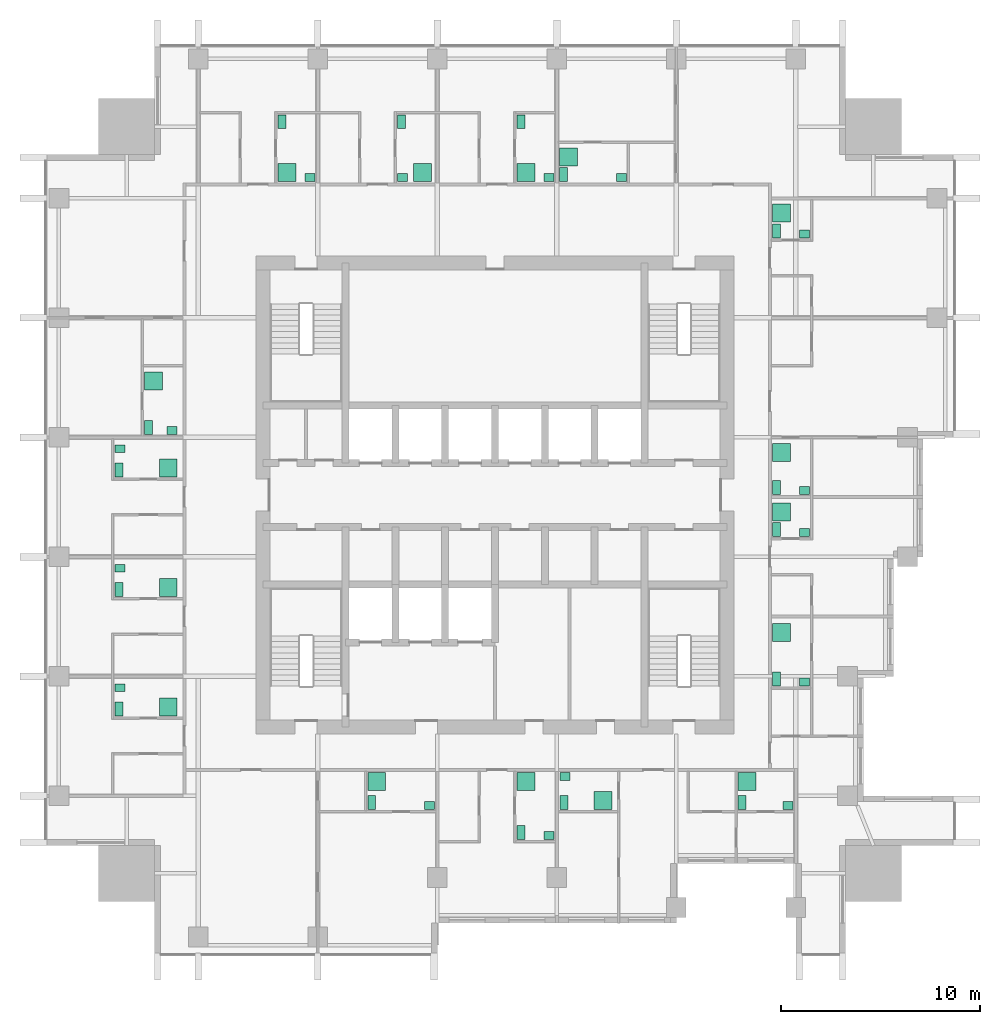
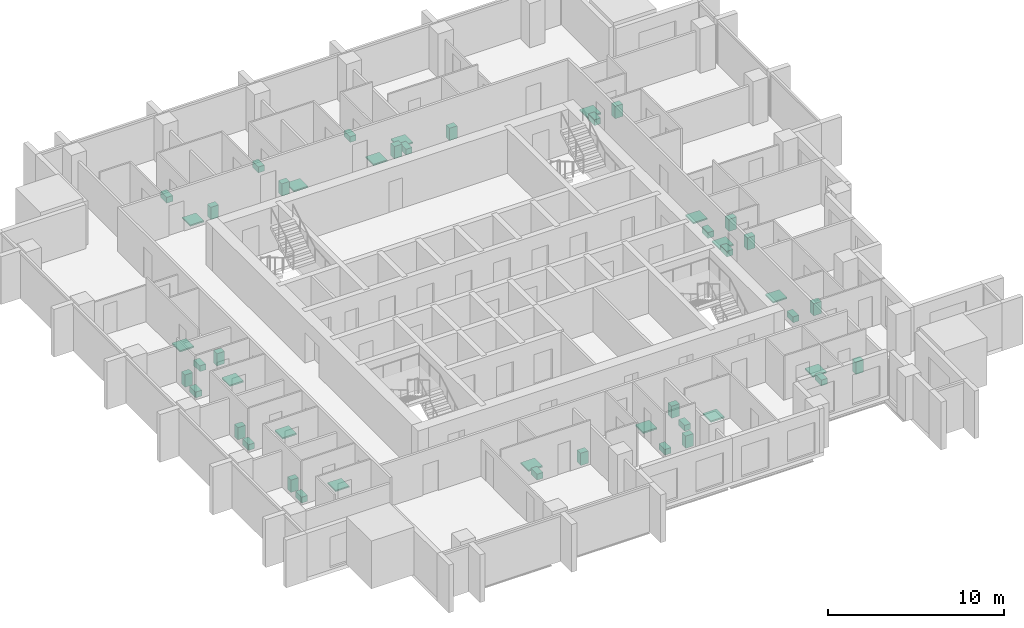
# One storey, part 10 of 10: 48 sanitary terminals.
"""IFC4 building model written with IfcOpenShell, lengths in metres."""

import ifcopenshell
import ifcopenshell.guid

model = None  # the IFC model being written
_history = None  # IfcOwnerHistory: only IFC2X3 demands one
_inside = {}  # id of a spatial element -> (the spatial element, [elements in it])
_under = {}  # id of a project, library or spatial element -> (it, [spatial elements below it])
_declared = {}  # id of a project -> (the project, [libraries it declares])
_typed = {}  # id of a type object -> (the type object, [elements of that type])
_made_of = {}  # id of a material, layer set ... -> (it, [elements and type objects made of it])


def new_model(schema):
    """Start an empty IFC model of exactly this schema.

    Asked for "IFC4X3", IfcOpenShell would pick the latest addendum, in which some entities
    have other attributes; the version numbers below select the first issue.
    IFC2X3 requires an IfcOwnerHistory on every rooted entity: one is made here for all.
    """
    global model, _history
    if schema == "IFC4X3":
        model = ifcopenshell.file(schema_version=(4, 3, 0, 0))
    else:
        model = ifcopenshell.file(schema=schema)
    _inside.clear()
    _under.clear()
    _declared.clear()
    _typed.clear()
    _made_of.clear()
    _history = None
    if model.schema == "IFC2X3":
        org = make("IfcOrganization", Name="unknown")
        user = make(
            "IfcPersonAndOrganization",
            ThePerson=make("IfcPerson", FamilyName="unknown"),
            TheOrganization=org,
        )
        app = make(
            "IfcApplication",
            ApplicationDeveloper=org,
            Version="unknown",
            ApplicationFullName="unknown",
            ApplicationIdentifier="unknown",
        )
        _history = make(
            "IfcOwnerHistory",
            OwningUser=user,
            OwningApplication=app,
            ChangeAction="ADDED",
            CreationDate=0,
        )
    return model


def make(cls, **values):
    """One entity of the class cls with the attributes given. An attribute that is None is left unset."""
    return model.create_entity(
        cls, **{name: value for name, value in values.items() if value is not None}
    )


def rooted(cls, **values):
    """An entity with a GlobalId (a new one), such as an element, a storey or a relation."""
    return make(cls, GlobalId=ifcopenshell.guid.new(), OwnerHistory=_history, **values)


def si_unit(unit_type, name, prefix=None):
    """IfcSIUnit, for example si_unit("LENGTHUNIT", "METRE", prefix="MILLI")."""
    return make("IfcSIUnit", UnitType=unit_type, Prefix=prefix, Name=name)


def assignment(units):
    """IfcUnitAssignment: the units of a project."""
    return None if units is None else make("IfcUnitAssignment", Units=units)


def point(xyz):
    """IfcCartesianPoint."""
    return None if xyz is None else make("IfcCartesianPoint", Coordinates=xyz)


def direction(xyz):
    """IfcDirection."""
    return None if xyz is None else make("IfcDirection", DirectionRatios=xyz)


def frame(location, z_axis=None, x_axis=None):
    """IfcAxis2Placement3D, a coordinate frame: its origin and axes. An axis left out is left unset."""
    return make(
        "IfcAxis2Placement3D",
        Location=point(location),
        Axis=direction(z_axis),
        RefDirection=direction(x_axis),
    )


def frame_2d(location, x_axis=None):
    """IfcAxis2Placement2D, a coordinate frame in the plane: its origin and x axis."""
    return make(
        "IfcAxis2Placement2D", Location=point(location), RefDirection=direction(x_axis)
    )


def origin():
    """The frame at (0, 0, 0) with its axes left unset."""
    return frame((0.0, 0.0, 0.0))


def origin_2d():
    """The frame at (0, 0) in the plane with its x axis left unset."""
    return frame_2d((0.0, 0.0))


def place(relative_to, where):
    """IfcLocalPlacement: puts the frame where relative to a parent placement (None: the world)."""
    return make(
        "IfcLocalPlacement", PlacementRelTo=relative_to, RelativePlacement=where
    )


def context(
    kind, dimensions, precision=None, world=None, true_north=None, identifier=None
):
    """IfcGeometricRepresentationContext, for example the 3D "Model" context."""
    return make(
        "IfcGeometricRepresentationContext",
        ContextIdentifier=identifier,
        ContextType=kind,
        CoordinateSpaceDimension=dimensions,
        Precision=precision,
        WorldCoordinateSystem=world,
        TrueNorth=true_north,
    )


def subcontext(parent, identifier, kind, view, scale=None):
    """IfcGeometricRepresentationSubContext, for example "Body" below "Model"."""
    return make(
        "IfcGeometricRepresentationSubContext",
        ContextIdentifier=identifier,
        ContextType=kind,
        ParentContext=parent,
        TargetScale=scale,
        TargetView=view,
    )


def project(units=None, contexts=None):
    """IfcProject with its units and contexts."""
    return rooted(
        "IfcProject",
        Name="project",
        RepresentationContexts=contexts,
        UnitsInContext=assignment(units),
    )


def spatial(cls, under=None, at=None, **own):
    """A site, building, storey or space (cls), placed at a placement, below another one or the project."""
    s = rooted(cls, ObjectPlacement=at, **own)
    if under is not None:
        _under.setdefault(under.id(), (under, []))[1].append(s)
    return s


def profile(cls, at=None, kind="AREA", **sizes):
    """A parametric profile (cls). Its sizes go by their IFC names, for example OverallWidth=200.0."""
    return make(cls, ProfileType=kind, Position=at, **sizes)


def rectangle(**sizes):
    """IfcRectangleProfileDef."""
    return profile("IfcRectangleProfileDef", **sizes)


def extrude(swept, where, along, depth):
    """IfcExtrudedAreaSolid: the profile swept, set in the frame where, extruded along a direction by depth."""
    return make(
        "IfcExtrudedAreaSolid",
        SweptArea=swept,
        Position=where,
        ExtrudedDirection=direction(along),
        Depth=depth,
    )


def shape(context_of_items, identifier, shape_type, items):
    """IfcShapeRepresentation: the items that make up one representation, for example the "Body"."""
    return make(
        "IfcShapeRepresentation",
        ContextOfItems=context_of_items,
        RepresentationIdentifier=identifier,
        RepresentationType=shape_type,
        Items=items,
    )


def made_of(thing, what):
    """Note that an element or type object is made of a material, layer set ...; save() writes the relation."""
    if what is not None:
        _made_of.setdefault(what.id(), (what, []))[1].append(thing)
    return thing


def element(
    cls,
    number,
    at=None,
    inside=None,
    cuts=None,
    type_object=None,
    material=None,
    context=None,
    identifier="Body",
    shape_type=None,
    held_by="IfcProductDefinitionShape",
    body=None,
    shapes=None,
    **own,
):
    """One element of the class cls, such as IfcWall. Its Tag is "e" and its number.

    at: its placement. inside: the storey or other place that contains it. cuts: it is an
    opening in that element (IfcRelVoidsElement). A single representation is given by context,
    identifier, shape_type and body (its items); several are given by shapes. held_by: the class
    of the entity that holds the representations. save() writes the other relations.
    """
    e = rooted(cls, Tag="e%d" % number, ObjectPlacement=at, **own)
    if body is not None:
        shapes = [shape(context, identifier, shape_type, body)]
    if shapes is not None:
        e.Representation = make(held_by, Representations=shapes)
    if inside is not None:
        _inside.setdefault(inside.id(), (inside, []))[1].append(e)
    if cuts is not None:
        rooted(
            "IfcRelVoidsElement", RelatingBuildingElement=cuts, RelatedOpeningElement=e
        )
    if type_object is not None:
        _typed.setdefault(type_object.id(), (type_object, []))[1].append(e)
    return made_of(e, material)


def aggregate(whole, parts):
    """IfcRelAggregates: a whole, such as a stair, and the parts it consists of."""
    return rooted("IfcRelAggregates", RelatingObject=whole, RelatedObjects=parts)


def save(model, path):
    """Write the relations noted so far, then the file.

    IfcRelAggregates (storeys below a building ...), IfcRelContainedInSpatialStructure (elements
    in a storey), IfcRelDefinesByType, IfcRelAssociatesMaterial and IfcRelDeclares: one each for
    every whole, place, type object, material and project.
    """
    for whole, parts in _under.values():
        aggregate(whole, parts)
    for where, things in _inside.values():
        rooted(
            "IfcRelContainedInSpatialStructure",
            RelatedElements=things,
            RelatingStructure=where,
        )
    for kind, things in _typed.values():
        rooted("IfcRelDefinesByType", RelatedObjects=things, RelatingType=kind)
    for what, things in _made_of.values():
        rooted("IfcRelAssociatesMaterial", RelatedObjects=things, RelatingMaterial=what)
    for by, libraries in _declared.values():
        rooted("IfcRelDeclares", RelatingContext=by, RelatedDefinitions=libraries)
    model.write(path)


model = new_model("IFC4")

# Units and contexts
model_context = context("Model", 3, precision=1e-05, world=origin(), true_north=direction((0.0, 1.0)))
body_context = subcontext(model_context, "Body", "Model", "MODEL_VIEW")
ifc_project = project(units=[si_unit("LENGTHUNIT", "METRE"), si_unit("AREAUNIT", "SQUARE_METRE"), si_unit("VOLUMEUNIT", "CUBIC_METRE"), si_unit("PLANEANGLEUNIT", "RADIAN"), si_unit("MASSUNIT", "GRAM", prefix="KILO")], contexts=[model_context])

# Site, building, storey
site_placement = place(None, origin())
site = spatial("IfcSite", under=ifc_project, at=site_placement, CompositionType="ELEMENT")
building_placement = place(site_placement, origin())
building = spatial("IfcBuilding", under=site, at=building_placement, Name="Amberfall Residences", CompositionType="ELEMENT")
storey_placement = place(building_placement, frame((0.0, 0.0, 158.199951171875)))
storey = spatial("IfcBuildingStorey", under=building, at=storey_placement, Name="L42", CompositionType="ELEMENT", Elevation=158.199951171875)

# Sanitary terminals
sanitary_terminal_1_placement = place(storey_placement, frame((68.31005859375, 30.06005859375, 0.0), z_axis=(0.0, 0.0, 1.0), x_axis=(1.0, 0.0, 0.0)))
element("IfcSanitaryTerminal", 1, at=sanitary_terminal_1_placement, inside=storey, Name="Water closet 4201", PredefinedType="TOILETPAN", context=body_context, shape_type="SweptSolid", body=[
    extrude(rectangle(XDim=0.39990234375, YDim=0.699951171875, at=origin_2d()), origin(), (0.0, 0.0, 1.0), 0.39990234375),
])
sanitary_terminal_2_placement = place(storey_placement, frame((71.215087890625, 29.909912109375, 0.0), z_axis=(0.0, 0.0, 1.0), x_axis=(1.0, 0.0, 0.0)))
element("IfcSanitaryTerminal", 2, at=sanitary_terminal_2_placement, inside=storey, Name="Basin 4201", PredefinedType="WASHHANDBASIN", context=body_context, shape_type="SweptSolid", body=[
    extrude(rectangle(XDim=0.5, YDim=0.39990234375, at=origin_2d()), origin(), (0.0, 0.0, 1.0), 0.85009765625),
])
sanitary_terminal_3_placement = place(storey_placement, frame((68.56005859375, 31.114990234375, 0.0), z_axis=(0.0, 0.0, 1.0), x_axis=(1.0, 0.0, 0.0)))
element("IfcSanitaryTerminal", 3, at=sanitary_terminal_3_placement, inside=storey, Name="Shower tray 4201", PredefinedType="SHOWER", context=body_context, shape_type="SweptSolid", body=[
    extrude(rectangle(XDim=0.89990234375, YDim=0.89990234375, at=origin_2d()), origin(), (0.0, 0.0, 1.0), 0.10009765625),
])
sanitary_terminal_4_placement = place(storey_placement, frame((75.81005859375, 28.56005859375, 0.0), z_axis=(0.0, 0.0, 1.0), x_axis=(1.0, 0.0, 0.0)))
element("IfcSanitaryTerminal", 4, at=sanitary_terminal_4_placement, inside=storey, Name="Water closet 4202", PredefinedType="TOILETPAN", context=body_context, shape_type="SweptSolid", body=[
    extrude(rectangle(XDim=0.39990234375, YDim=0.699951171875, at=origin_2d()), origin(), (0.0, 0.0, 1.0), 0.39990234375),
])
sanitary_terminal_5_placement = place(storey_placement, frame((77.215087890625, 28.409912109375, 0.0), z_axis=(0.0, 0.0, 1.0), x_axis=(1.0, 0.0, 0.0)))
element("IfcSanitaryTerminal", 5, at=sanitary_terminal_5_placement, inside=storey, Name="Basin 4202", PredefinedType="WASHHANDBASIN", context=body_context, shape_type="SweptSolid", body=[
    extrude(rectangle(XDim=0.5, YDim=0.39990234375, at=origin_2d()), origin(), (0.0, 0.0, 1.0), 0.85009765625),
])
sanitary_terminal_6_placement = place(storey_placement, frame((76.06005859375, 31.114990234375, 0.0), z_axis=(0.0, 0.0, 1.0), x_axis=(1.0, 0.0, 0.0)))
element("IfcSanitaryTerminal", 6, at=sanitary_terminal_6_placement, inside=storey, Name="Shower tray 4202", PredefinedType="SHOWER", context=body_context, shape_type="SweptSolid", body=[
    extrude(rectangle(XDim=0.89990234375, YDim=0.89990234375, at=origin_2d()), origin(), (0.0, 0.0, 1.0), 0.10009765625),
])
sanitary_terminal_7_placement = place(storey_placement, frame((77.9599609375, 30.06005859375, 0.0), z_axis=(0.0, 0.0, 1.0), x_axis=(1.0, 0.0, 0.0)))
element("IfcSanitaryTerminal", 7, at=sanitary_terminal_7_placement, inside=storey, Name="Water closet 4203", PredefinedType="TOILETPAN", context=body_context, shape_type="SweptSolid", body=[
    extrude(rectangle(XDim=0.39990234375, YDim=0.699951171875, at=origin_2d()), origin(), (0.0, 0.0, 1.0), 0.39990234375),
])
sanitary_terminal_8_placement = place(storey_placement, frame((78.010009765625, 31.364990234375, 0.0), z_axis=(0.0, 0.0, 1.0), x_axis=(1.0, 0.0, 0.0)))
element("IfcSanitaryTerminal", 8, at=sanitary_terminal_8_placement, inside=storey, Name="Basin 4203", PredefinedType="WASHHANDBASIN", context=body_context, shape_type="SweptSolid", body=[
    extrude(rectangle(XDim=0.5, YDim=0.39990234375, at=origin_2d()), origin(), (0.0, 0.0, 1.0), 0.85009765625),
])
sanitary_terminal_9_placement = place(storey_placement, frame((79.925537109375, 30.159912109375, 0.0), z_axis=(0.0, 0.0, 1.0), x_axis=(1.0, 0.0, 0.0)))
element("IfcSanitaryTerminal", 9, at=sanitary_terminal_9_placement, inside=storey, Name="Shower tray 4203", PredefinedType="SHOWER", context=body_context, shape_type="SweptSolid", body=[
    extrude(rectangle(XDim=0.89990234375, YDim=0.89990234375, at=origin_2d()), origin(), (0.0, 0.0, 1.0), 0.10009765625),
])
sanitary_terminal_10_placement = place(storey_placement, frame((86.909912109375, 30.06005859375, 0.0), z_axis=(0.0, 0.0, 1.0), x_axis=(1.0, 0.0, 0.0)))
element("IfcSanitaryTerminal", 10, at=sanitary_terminal_10_placement, inside=storey, Name="Water closet 4203", PredefinedType="TOILETPAN", context=body_context, shape_type="SweptSolid", body=[
    extrude(rectangle(XDim=0.39990234375, YDim=0.699951171875, at=origin_2d()), origin(), (0.0, 0.0, 1.0), 0.39990234375),
])
sanitary_terminal_11_placement = place(storey_placement, frame((89.215087890625, 29.909912109375, 0.0), z_axis=(0.0, 0.0, 1.0), x_axis=(1.0, 0.0, 0.0)))
element("IfcSanitaryTerminal", 11, at=sanitary_terminal_11_placement, inside=storey, Name="Basin 4203", PredefinedType="WASHHANDBASIN", context=body_context, shape_type="SweptSolid", body=[
    extrude(rectangle(XDim=0.5, YDim=0.39990234375, at=origin_2d()), origin(), (0.0, 0.0, 1.0), 0.85009765625),
])
sanitary_terminal_12_placement = place(storey_placement, frame((87.159912109375, 31.114990234375, 0.0), z_axis=(0.0, 0.0, 1.0), x_axis=(1.0, 0.0, 0.0)))
element("IfcSanitaryTerminal", 12, at=sanitary_terminal_12_placement, inside=storey, Name="Shower tray 4203", PredefinedType="SHOWER", context=body_context, shape_type="SweptSolid", body=[
    extrude(rectangle(XDim=0.89990234375, YDim=0.89990234375, at=origin_2d()), origin(), (0.0, 0.0, 1.0), 0.10009765625),
])
sanitary_terminal_13_placement = place(storey_placement, frame((88.635009765625, 36.260009765625, 0.0), z_axis=(0.0, 0.0, 1.0), x_axis=(1.0, 0.0, 0.0)))
element("IfcSanitaryTerminal", 13, at=sanitary_terminal_13_placement, inside=storey, Name="Water closet 4204", PredefinedType="TOILETPAN", context=body_context, shape_type="SweptSolid", body=[
    extrude(rectangle(XDim=0.39990234375, YDim=0.699951171875, at=origin_2d()), origin(), (0.0, 0.0, 1.0), 0.39990234375),
])
sanitary_terminal_14_placement = place(storey_placement, frame((90.0400390625, 36.110107421875, 0.0), z_axis=(0.0, 0.0, 1.0), x_axis=(1.0, 0.0, 0.0)))
element("IfcSanitaryTerminal", 14, at=sanitary_terminal_14_placement, inside=storey, Name="Basin 4204", PredefinedType="WASHHANDBASIN", context=body_context, shape_type="SweptSolid", body=[
    extrude(rectangle(XDim=0.5, YDim=0.39990234375, at=origin_2d()), origin(), (0.0, 0.0, 1.0), 0.85009765625),
])
sanitary_terminal_15_placement = place(storey_placement, frame((88.885009765625, 38.591796875, 0.0), z_axis=(0.0, 0.0, 1.0), x_axis=(1.0, 0.0, 0.0)))
element("IfcSanitaryTerminal", 15, at=sanitary_terminal_15_placement, inside=storey, Name="Shower tray 4204", PredefinedType="SHOWER", context=body_context, shape_type="SweptSolid", body=[
    extrude(rectangle(XDim=0.89990234375, YDim=0.89990234375, at=origin_2d()), origin(), (0.0, 0.0, 1.0), 0.10009765625),
])
sanitary_terminal_16_placement = place(storey_placement, frame((88.635009765625, 43.760009765625, 0.0), z_axis=(0.0, 0.0, 1.0), x_axis=(1.0, 0.0, 0.0)))
element("IfcSanitaryTerminal", 16, at=sanitary_terminal_16_placement, inside=storey, Name="Water closet 4205", PredefinedType="TOILETPAN", context=body_context, shape_type="SweptSolid", body=[
    extrude(rectangle(XDim=0.39990234375, YDim=0.699951171875, at=origin_2d()), origin(), (0.0, 0.0, 1.0), 0.39990234375),
])
sanitary_terminal_17_placement = place(storey_placement, frame((90.0400390625, 43.610107421875, 0.0), z_axis=(0.0, 0.0, 1.0), x_axis=(1.0, 0.0, 0.0)))
element("IfcSanitaryTerminal", 17, at=sanitary_terminal_17_placement, inside=storey, Name="Basin 4205", PredefinedType="WASHHANDBASIN", context=body_context, shape_type="SweptSolid", body=[
    extrude(rectangle(XDim=0.5, YDim=0.39990234375, at=origin_2d()), origin(), (0.0, 0.0, 1.0), 0.85009765625),
])
sanitary_terminal_18_placement = place(storey_placement, frame((88.885009765625, 44.65576171875, 0.0), z_axis=(0.0, 0.0, 1.0), x_axis=(1.0, 0.0, 0.0)))
element("IfcSanitaryTerminal", 18, at=sanitary_terminal_18_placement, inside=storey, Name="Shower tray 4205", PredefinedType="SHOWER", context=body_context, shape_type="SweptSolid", body=[
    extrude(rectangle(XDim=0.89990234375, YDim=0.89990234375, at=origin_2d()), origin(), (0.0, 0.0, 1.0), 0.10009765625),
])
sanitary_terminal_19_placement = place(storey_placement, frame((88.635009765625, 45.885009765625, 0.0), z_axis=(0.0, 0.0, 1.0), x_axis=(1.0, 0.0, 0.0)))
element("IfcSanitaryTerminal", 19, at=sanitary_terminal_19_placement, inside=storey, Name="Water closet 4206", PredefinedType="TOILETPAN", context=body_context, shape_type="SweptSolid", body=[
    extrude(rectangle(XDim=0.39990234375, YDim=0.699951171875, at=origin_2d()), origin(), (0.0, 0.0, 1.0), 0.39990234375),
])
sanitary_terminal_20_placement = place(storey_placement, frame((90.0400390625, 45.735107421875, 0.0), z_axis=(0.0, 0.0, 1.0), x_axis=(1.0, 0.0, 0.0)))
element("IfcSanitaryTerminal", 20, at=sanitary_terminal_20_placement, inside=storey, Name="Basin 4206", PredefinedType="WASHHANDBASIN", context=body_context, shape_type="SweptSolid", body=[
    extrude(rectangle(XDim=0.5, YDim=0.39990234375, at=origin_2d()), origin(), (0.0, 0.0, 1.0), 0.85009765625),
])
sanitary_terminal_21_placement = place(storey_placement, frame((88.885009765625, 47.6337890625, 0.0), z_axis=(0.0, 0.0, 1.0), x_axis=(1.0, 0.0, 0.0)))
element("IfcSanitaryTerminal", 21, at=sanitary_terminal_21_placement, inside=storey, Name="Shower tray 4206", PredefinedType="SHOWER", context=body_context, shape_type="SweptSolid", body=[
    extrude(rectangle(XDim=0.89990234375, YDim=0.89990234375, at=origin_2d()), origin(), (0.0, 0.0, 1.0), 0.10009765625),
])
sanitary_terminal_22_placement = place(storey_placement, frame((88.635009765625, 58.760009765625, 0.0), z_axis=(0.0, 0.0, 1.0), x_axis=(1.0, 0.0, 0.0)))
element("IfcSanitaryTerminal", 22, at=sanitary_terminal_22_placement, inside=storey, Name="Water closet 4207", PredefinedType="TOILETPAN", context=body_context, shape_type="SweptSolid", body=[
    extrude(rectangle(XDim=0.39990234375, YDim=0.699951171875, at=origin_2d()), origin(), (0.0, 0.0, 1.0), 0.39990234375),
])
sanitary_terminal_23_placement = place(storey_placement, frame((90.0400390625, 58.610107421875, 0.0), z_axis=(0.0, 0.0, 1.0), x_axis=(1.0, 0.0, 0.0)))
element("IfcSanitaryTerminal", 23, at=sanitary_terminal_23_placement, inside=storey, Name="Basin 4207", PredefinedType="WASHHANDBASIN", context=body_context, shape_type="SweptSolid", body=[
    extrude(rectangle(XDim=0.5, YDim=0.39990234375, at=origin_2d()), origin(), (0.0, 0.0, 1.0), 0.85009765625),
])
sanitary_terminal_24_placement = place(storey_placement, frame((88.885009765625, 59.65576171875, 0.0), z_axis=(0.0, 0.0, 1.0), x_axis=(1.0, 0.0, 0.0)))
element("IfcSanitaryTerminal", 24, at=sanitary_terminal_24_placement, inside=storey, Name="Shower tray 4207", PredefinedType="SHOWER", context=body_context, shape_type="SweptSolid", body=[
    extrude(rectangle(XDim=0.89990234375, YDim=0.89990234375, at=origin_2d()), origin(), (0.0, 0.0, 1.0), 0.10009765625),
])
sanitary_terminal_25_placement = place(storey_placement, frame((63.81005859375, 64.239990234375, 0.0), z_axis=(0.0, 0.0, 1.0), x_axis=(1.0, 0.0, 0.0)))
element("IfcSanitaryTerminal", 25, at=sanitary_terminal_25_placement, inside=storey, Name="Water closet 4208", PredefinedType="TOILETPAN", context=body_context, shape_type="SweptSolid", body=[
    extrude(rectangle(XDim=0.39990234375, YDim=0.699951171875, at=origin_2d()), origin(), (0.0, 0.0, 1.0), 0.39990234375),
])
sanitary_terminal_26_placement = place(storey_placement, frame((65.215087890625, 61.43505859375, 0.0), z_axis=(0.0, 0.0, 1.0), x_axis=(1.0, 0.0, 0.0)))
element("IfcSanitaryTerminal", 26, at=sanitary_terminal_26_placement, inside=storey, Name="Basin 4208", PredefinedType="WASHHANDBASIN", context=body_context, shape_type="SweptSolid", body=[
    extrude(rectangle(XDim=0.5, YDim=0.39990234375, at=origin_2d()), origin(), (0.0, 0.0, 1.0), 0.85009765625),
])
sanitary_terminal_27_placement = place(storey_placement, frame((64.06005859375, 61.68505859375, 0.0), z_axis=(0.0, 0.0, 1.0), x_axis=(1.0, 0.0, 0.0)))
element("IfcSanitaryTerminal", 27, at=sanitary_terminal_27_placement, inside=storey, Name="Shower tray 4208", PredefinedType="SHOWER", context=body_context, shape_type="SweptSolid", body=[
    extrude(rectangle(XDim=0.89990234375, YDim=0.89990234375, at=origin_2d()), origin(), (0.0, 0.0, 1.0), 0.10009765625),
])
sanitary_terminal_28_placement = place(storey_placement, frame((69.81005859375, 64.239990234375, 0.0), z_axis=(0.0, 0.0, 1.0), x_axis=(1.0, 0.0, 0.0)))
element("IfcSanitaryTerminal", 28, at=sanitary_terminal_28_placement, inside=storey, Name="Water closet 4209", PredefinedType="TOILETPAN", context=body_context, shape_type="SweptSolid", body=[
    extrude(rectangle(XDim=0.39990234375, YDim=0.699951171875, at=origin_2d()), origin(), (0.0, 0.0, 1.0), 0.39990234375),
])
sanitary_terminal_29_placement = place(storey_placement, frame((69.860107421875, 61.43505859375, 0.0), z_axis=(0.0, 0.0, 1.0), x_axis=(1.0, 0.0, 0.0)))
element("IfcSanitaryTerminal", 29, at=sanitary_terminal_29_placement, inside=storey, Name="Basin 4209", PredefinedType="WASHHANDBASIN", context=body_context, shape_type="SweptSolid", body=[
    extrude(rectangle(XDim=0.5, YDim=0.39990234375, at=origin_2d()), origin(), (0.0, 0.0, 1.0), 0.85009765625),
])
sanitary_terminal_30_placement = place(storey_placement, frame((70.855712890625, 61.68505859375, 0.0), z_axis=(0.0, 0.0, 1.0), x_axis=(1.0, 0.0, 0.0)))
element("IfcSanitaryTerminal", 30, at=sanitary_terminal_30_placement, inside=storey, Name="Shower tray 4209", PredefinedType="SHOWER", context=body_context, shape_type="SweptSolid", body=[
    extrude(rectangle(XDim=0.89990234375, YDim=0.89990234375, at=origin_2d()), origin(), (0.0, 0.0, 1.0), 0.10009765625),
])
sanitary_terminal_31_placement = place(storey_placement, frame((75.81005859375, 64.239990234375, 0.0), z_axis=(0.0, 0.0, 1.0), x_axis=(1.0, 0.0, 0.0)))
element("IfcSanitaryTerminal", 31, at=sanitary_terminal_31_placement, inside=storey, Name="Water closet 4210", PredefinedType="TOILETPAN", context=body_context, shape_type="SweptSolid", body=[
    extrude(rectangle(XDim=0.39990234375, YDim=0.699951171875, at=origin_2d()), origin(), (0.0, 0.0, 1.0), 0.39990234375),
])
sanitary_terminal_32_placement = place(storey_placement, frame((77.215087890625, 61.43505859375, 0.0), z_axis=(0.0, 0.0, 1.0), x_axis=(1.0, 0.0, 0.0)))
element("IfcSanitaryTerminal", 32, at=sanitary_terminal_32_placement, inside=storey, Name="Basin 4210", PredefinedType="WASHHANDBASIN", context=body_context, shape_type="SweptSolid", body=[
    extrude(rectangle(XDim=0.5, YDim=0.39990234375, at=origin_2d()), origin(), (0.0, 0.0, 1.0), 0.85009765625),
])
sanitary_terminal_33_placement = place(storey_placement, frame((76.06005859375, 61.68505859375, 0.0), z_axis=(0.0, 0.0, 1.0), x_axis=(1.0, 0.0, 0.0)))
element("IfcSanitaryTerminal", 33, at=sanitary_terminal_33_placement, inside=storey, Name="Shower tray 4210", PredefinedType="SHOWER", context=body_context, shape_type="SweptSolid", body=[
    extrude(rectangle(XDim=0.89990234375, YDim=0.89990234375, at=origin_2d()), origin(), (0.0, 0.0, 1.0), 0.10009765625),
])
sanitary_terminal_34_placement = place(storey_placement, frame((77.93505859375, 61.5849609375, 0.0), z_axis=(0.0, 0.0, 1.0), x_axis=(1.0, 0.0, 0.0)))
element("IfcSanitaryTerminal", 34, at=sanitary_terminal_34_placement, inside=storey, Name="Water closet 4211", PredefinedType="TOILETPAN", context=body_context, shape_type="SweptSolid", body=[
    extrude(rectangle(XDim=0.39990234375, YDim=0.699951171875, at=origin_2d()), origin(), (0.0, 0.0, 1.0), 0.39990234375),
])
sanitary_terminal_35_placement = place(storey_placement, frame((80.840087890625, 61.43505859375, 0.0), z_axis=(0.0, 0.0, 1.0), x_axis=(1.0, 0.0, 0.0)))
element("IfcSanitaryTerminal", 35, at=sanitary_terminal_35_placement, inside=storey, Name="Basin 4211", PredefinedType="WASHHANDBASIN", context=body_context, shape_type="SweptSolid", body=[
    extrude(rectangle(XDim=0.5, YDim=0.39990234375, at=origin_2d()), origin(), (0.0, 0.0, 1.0), 0.85009765625),
])
sanitary_terminal_36_placement = place(storey_placement, frame((78.18505859375, 62.480712890625, 0.0), z_axis=(0.0, 0.0, 1.0), x_axis=(1.0, 0.0, 0.0)))
element("IfcSanitaryTerminal", 36, at=sanitary_terminal_36_placement, inside=storey, Name="Shower tray 4211", PredefinedType="SHOWER", context=body_context, shape_type="SweptSolid", body=[
    extrude(rectangle(XDim=0.89990234375, YDim=0.89990234375, at=origin_2d()), origin(), (0.0, 0.0, 1.0), 0.10009765625),
])
sanitary_terminal_37_placement = place(storey_placement, frame((55.610107421875, 34.760009765625, 0.0), z_axis=(0.0, 0.0, 1.0), x_axis=(1.0, 0.0, 0.0)))
element("IfcSanitaryTerminal", 37, at=sanitary_terminal_37_placement, inside=storey, Name="Water closet 4212", PredefinedType="TOILETPAN", context=body_context, shape_type="SweptSolid", body=[
    extrude(rectangle(XDim=0.39990234375, YDim=0.699951171875, at=origin_2d()), origin(), (0.0, 0.0, 1.0), 0.39990234375),
])
sanitary_terminal_38_placement = place(storey_placement, frame((55.659912109375, 35.822509765625, 0.0), z_axis=(0.0, 0.0, 1.0), x_axis=(1.0, 0.0, 0.0)))
element("IfcSanitaryTerminal", 38, at=sanitary_terminal_38_placement, inside=storey, Name="Basin 4212", PredefinedType="WASHHANDBASIN", context=body_context, shape_type="SweptSolid", body=[
    extrude(rectangle(XDim=0.5, YDim=0.39990234375, at=origin_2d()), origin(), (0.0, 0.0, 1.0), 0.85009765625),
])
sanitary_terminal_39_placement = place(storey_placement, frame((58.091796875, 34.860107421875, 0.0), z_axis=(0.0, 0.0, 1.0), x_axis=(1.0, 0.0, 0.0)))
element("IfcSanitaryTerminal", 39, at=sanitary_terminal_39_placement, inside=storey, Name="Shower tray 4212", PredefinedType="SHOWER", context=body_context, shape_type="SweptSolid", body=[
    extrude(rectangle(XDim=0.89990234375, YDim=0.89990234375, at=origin_2d()), origin(), (0.0, 0.0, 1.0), 0.10009765625),
])
sanitary_terminal_40_placement = place(storey_placement, frame((55.610107421875, 40.760009765625, 0.0), z_axis=(0.0, 0.0, 1.0), x_axis=(1.0, 0.0, 0.0)))
element("IfcSanitaryTerminal", 40, at=sanitary_terminal_40_placement, inside=storey, Name="Water closet 4213", PredefinedType="TOILETPAN", context=body_context, shape_type="SweptSolid", body=[
    extrude(rectangle(XDim=0.39990234375, YDim=0.699951171875, at=origin_2d()), origin(), (0.0, 0.0, 1.0), 0.39990234375),
])
sanitary_terminal_41_placement = place(storey_placement, frame((55.659912109375, 41.822509765625, 0.0), z_axis=(0.0, 0.0, 1.0), x_axis=(1.0, 0.0, 0.0)))
element("IfcSanitaryTerminal", 41, at=sanitary_terminal_41_placement, inside=storey, Name="Basin 4213", PredefinedType="WASHHANDBASIN", context=body_context, shape_type="SweptSolid", body=[
    extrude(rectangle(XDim=0.5, YDim=0.39990234375, at=origin_2d()), origin(), (0.0, 0.0, 1.0), 0.85009765625),
])
sanitary_terminal_42_placement = place(storey_placement, frame((58.091796875, 40.860107421875, 0.0), z_axis=(0.0, 0.0, 1.0), x_axis=(1.0, 0.0, 0.0)))
element("IfcSanitaryTerminal", 42, at=sanitary_terminal_42_placement, inside=storey, Name="Shower tray 4213", PredefinedType="SHOWER", context=body_context, shape_type="SweptSolid", body=[
    extrude(rectangle(XDim=0.89990234375, YDim=0.89990234375, at=origin_2d()), origin(), (0.0, 0.0, 1.0), 0.10009765625),
])
sanitary_terminal_43_placement = place(storey_placement, frame((55.610107421875, 46.760009765625, 0.0), z_axis=(0.0, 0.0, 1.0), x_axis=(1.0, 0.0, 0.0)))
element("IfcSanitaryTerminal", 43, at=sanitary_terminal_43_placement, inside=storey, Name="Water closet 4214", PredefinedType="TOILETPAN", context=body_context, shape_type="SweptSolid", body=[
    extrude(rectangle(XDim=0.39990234375, YDim=0.699951171875, at=origin_2d()), origin(), (0.0, 0.0, 1.0), 0.39990234375),
])
sanitary_terminal_44_placement = place(storey_placement, frame((55.659912109375, 47.822509765625, 0.0), z_axis=(0.0, 0.0, 1.0), x_axis=(1.0, 0.0, 0.0)))
element("IfcSanitaryTerminal", 44, at=sanitary_terminal_44_placement, inside=storey, Name="Basin 4214", PredefinedType="WASHHANDBASIN", context=body_context, shape_type="SweptSolid", body=[
    extrude(rectangle(XDim=0.5, YDim=0.39990234375, at=origin_2d()), origin(), (0.0, 0.0, 1.0), 0.85009765625),
])
sanitary_terminal_45_placement = place(storey_placement, frame((58.091796875, 46.860107421875, 0.0), z_axis=(0.0, 0.0, 1.0), x_axis=(1.0, 0.0, 0.0)))
element("IfcSanitaryTerminal", 45, at=sanitary_terminal_45_placement, inside=storey, Name="Shower tray 4214", PredefinedType="SHOWER", context=body_context, shape_type="SweptSolid", body=[
    extrude(rectangle(XDim=0.89990234375, YDim=0.89990234375, at=origin_2d()), origin(), (0.0, 0.0, 1.0), 0.10009765625),
])
sanitary_terminal_46_placement = place(storey_placement, frame((57.110107421875, 48.885009765625, 0.0), z_axis=(0.0, 0.0, 1.0), x_axis=(1.0, 0.0, 0.0)))
element("IfcSanitaryTerminal", 46, at=sanitary_terminal_46_placement, inside=storey, Name="Water closet 4215", PredefinedType="TOILETPAN", context=body_context, shape_type="SweptSolid", body=[
    extrude(rectangle(XDim=0.39990234375, YDim=0.699951171875, at=origin_2d()), origin(), (0.0, 0.0, 1.0), 0.39990234375),
])
sanitary_terminal_47_placement = place(storey_placement, frame((58.2890625, 48.735107421875, 0.0), z_axis=(0.0, 0.0, 1.0), x_axis=(1.0, 0.0, 0.0)))
element("IfcSanitaryTerminal", 47, at=sanitary_terminal_47_placement, inside=storey, Name="Basin 4215", PredefinedType="WASHHANDBASIN", context=body_context, shape_type="SweptSolid", body=[
    extrude(rectangle(XDim=0.5, YDim=0.39990234375, at=origin_2d()), origin(), (0.0, 0.0, 1.0), 0.85009765625),
])
sanitary_terminal_48_placement = place(storey_placement, frame((57.360107421875, 51.216796875, 0.0), z_axis=(0.0, 0.0, 1.0), x_axis=(1.0, 0.0, 0.0)))
element("IfcSanitaryTerminal", 48, at=sanitary_terminal_48_placement, inside=storey, Name="Shower tray 4215", PredefinedType="SHOWER", context=body_context, shape_type="SweptSolid", body=[
    extrude(rectangle(XDim=0.89990234375, YDim=0.89990234375, at=origin_2d()), origin(), (0.0, 0.0, 1.0), 0.10009765625),
])

save(model, "model.ifc")
